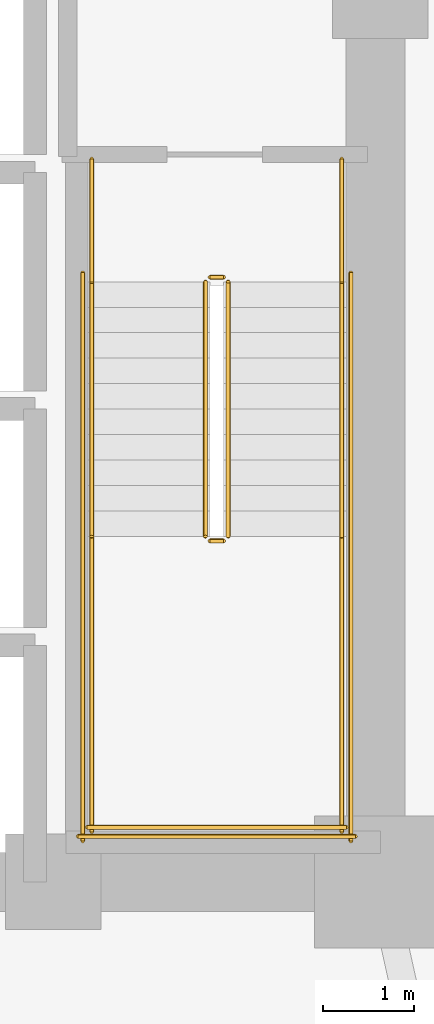
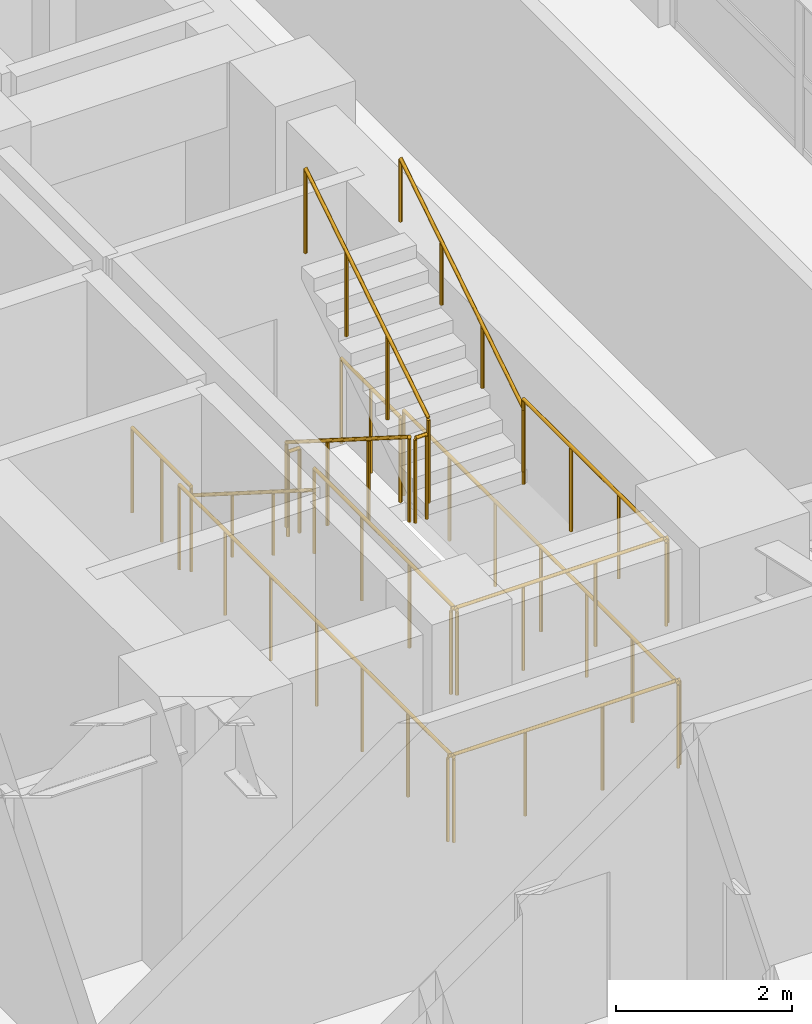
# One storey, part 28 of 28: 14 railings.
"""IFC4 building model written with IfcOpenShell, lengths in metres."""

from ifc_helpers import new_model, si_unit, direction, frame, origin, origin_2d, place, context, subcontext, project, spatial, circle, extrude, material, type_object, element, save


model = new_model("IFC4")

# Units and contexts
model_context = context("Model", 3, precision=1e-05, world=origin(), true_north=direction((0.0, 1.0)))
body_context = subcontext(model_context, "Body", "Model", "MODEL_VIEW")
ifc_project = project(units=[si_unit("LENGTHUNIT", "METRE"), si_unit("AREAUNIT", "SQUARE_METRE"), si_unit("VOLUMEUNIT", "CUBIC_METRE"), si_unit("PLANEANGLEUNIT", "RADIAN"), si_unit("MASSUNIT", "GRAM", prefix="KILO")], contexts=[model_context])

# Site, building, storey
site_placement = place(None, origin())
site = spatial("IfcSite", under=ifc_project, at=site_placement, CompositionType="ELEMENT")
building_placement = place(site_placement, origin())
building = spatial("IfcBuilding", under=site, at=building_placement, Name="Voryun Gate Residences", CompositionType="ELEMENT")
storey_placement = place(building_placement, frame((0.0, 0.0, 61.10009765625)))
storey = spatial("IfcBuildingStorey", under=building, at=storey_placement, Name="L14", CompositionType="ELEMENT", Elevation=61.10009765625)

# Railings
ifc_material_1 = material(Name="Painted steel", Category="steel")
railing_type_1 = type_object("IfcRailingType", Name="RAIL_STAIR_GUARD_1200", PredefinedType="GUARDRAIL", material=ifc_material_1)
railing_1_placement = place(storey_placement, frame((17.27490234375, -0.800048828125, 0.17724609375)))
element("IfcRailing", 1, at=railing_1_placement, inside=storey, type_object=railing_type_1, Name="L14 ST-E1 stair guard 1", PredefinedType="GUARDRAIL", context=body_context, shape_type="SweptSolid", body=[
    extrude(circle(Radius=0.02392578125, at=origin_2d()), frame((0.0, 0.0, 1.17578125), z_axis=(0.0, -0.844908973607, 0.534910110503), x_axis=(1.0, 0.0, 0.0)), (0.0, 0.0, 1.0), 3.31396484375),
    extrude(circle(Radius=0.02099609375, at=origin_2d()), origin(), (0.0, 0.0, 1.0), 1.15185546875),
    extrude(circle(Radius=0.02099609375, at=origin_2d()), frame((0.0, -0.933349609375, 0.5908203125)), (0.0, 0.0, 1.0), 1.15185546875),
    extrude(circle(Radius=0.02099609375, at=origin_2d()), frame((0.0, -1.86669921875, 1.181884765625)), (0.0, 0.0, 1.0), 1.15185546875),
    extrude(circle(Radius=0.02099609375, at=origin_2d()), frame((0.0, -2.800048828125, 1.772705078125)), (0.0, 0.0, 1.0), 1.15185546875),
])
railing_2_placement = place(storey_placement, frame((17.324951171875, -3.64990234375, 1.949951171875)))
element("IfcRailing", 2, at=railing_2_placement, inside=storey, type_object=railing_type_1, Name="L14 ST-E1 stair guard 2", PredefinedType="GUARDRAIL", context=body_context, shape_type="SweptSolid", body=[
    extrude(circle(Radius=0.02392578125, at=origin_2d()), frame((0.0, 0.0, 1.17578125), z_axis=(1.0, 0.0, 0.0), x_axis=(0.0, 1.0, 0.0)), (0.0, 0.0, 1.0), 0.150146484375),
    extrude(circle(Radius=0.02099609375, at=origin_2d()), origin(), (0.0, 0.0, 1.0), 1.15185546875),
    extrude(circle(Radius=0.02099609375, at=origin_2d()), frame((0.150146484375, 0.0, 0.0)), (0.0, 0.0, 1.0), 1.15185546875),
])
for number, where, name in (
    (3, (16.02490234375, -3.60009765625, 1.949951171875), "L14 ST-E1 stair guard 3"),
    (4, (18.77490234375, -3.60009765625, 1.949951171875), "L14 ST-E1 stair guard 4"),
):
    element("IfcRailing", number, at=place(storey_placement, frame(where)), inside=storey, type_object=railing_type_1, Name=name, PredefinedType="GUARDRAIL", context=body_context, shape_type="SweptSolid", body=[
        extrude(circle(Radius=0.02392578125, at=origin_2d()), frame((0.0, 0.0, 1.17578125), z_axis=(0.0, -1.0, 0.0), x_axis=(1.0, 0.0, 0.0)), (0.0, 0.0, 1.0), 3.25),
        extrude(circle(Radius=0.02099609375, at=origin_2d()), origin(), (0.0, 0.0, 1.0), 1.15185546875),
        extrude(circle(Radius=0.02099609375, at=origin_2d()), frame((0.0, -1.083251953125, 0.0)), (0.0, 0.0, 1.0), 1.15185546875),
        extrude(circle(Radius=0.02099609375, at=origin_2d()), frame((0.0, -2.166748046875, 0.0)), (0.0, 0.0, 1.0), 1.15185546875),
        extrude(circle(Radius=0.02099609375, at=origin_2d()), frame((0.0, -3.25, 0.0)), (0.0, 0.0, 1.0), 1.15185546875),
    ])
railing_3_placement = place(storey_placement, frame((15.97509765625, -6.800048828125, 1.949951171875)))
element("IfcRailing", 5, at=railing_3_placement, inside=storey, type_object=railing_type_1, Name="L14 ST-E1 stair guard 5", PredefinedType="GUARDRAIL", context=body_context, shape_type="SweptSolid", body=[
    extrude(circle(Radius=0.02392578125, at=origin_2d()), frame((0.0, 0.0, 1.17578125), z_axis=(1.0, 0.0, 0.0), x_axis=(0.0, 1.0, 0.0)), (0.0, 0.0, 1.0), 2.849853515625),
    extrude(circle(Radius=0.02099609375, at=origin_2d()), origin(), (0.0, 0.0, 1.0), 1.15185546875),
    extrude(circle(Radius=0.02099609375, at=origin_2d()), frame((0.949951171875, 0.0, 0.0)), (0.0, 0.0, 1.0), 1.15185546875),
    extrude(circle(Radius=0.02099609375, at=origin_2d()), frame((1.89990234375, 0.0, 0.0)), (0.0, 0.0, 1.0), 1.15185546875),
    extrude(circle(Radius=0.02099609375, at=origin_2d()), frame((2.849853515625, 0.0, 0.0)), (0.0, 0.0, 1.0), 1.15185546875),
])
railing_4_placement = place(storey_placement, frame((17.52490234375, -3.60009765625, 2.127197265625)))
element("IfcRailing", 6, at=railing_4_placement, inside=storey, type_object=railing_type_1, Name="L14 ST-E1 stair guard 6", PredefinedType="GUARDRAIL", context=body_context, shape_type="SweptSolid", body=[
    extrude(circle(Radius=0.02392578125, at=origin_2d()), frame((0.0, 0.0, 1.17578125), z_axis=(0.0, 0.844908973607, 0.534910110503), x_axis=(-1.0, 0.0, 0.0)), (0.0, 0.0, 1.0), 3.31396484375),
    extrude(circle(Radius=0.02099609375, at=origin_2d()), origin(), (0.0, 0.0, 1.0), 1.15185546875),
    extrude(circle(Radius=0.02099609375, at=origin_2d()), frame((0.0, 0.933349609375, 0.5908203125)), (0.0, 0.0, 1.0), 1.15185546875),
    extrude(circle(Radius=0.02099609375, at=origin_2d()), frame((0.0, 1.86669921875, 1.181884765625)), (0.0, 0.0, 1.0), 1.15185546875),
    extrude(circle(Radius=0.02099609375, at=origin_2d()), frame((0.0, 2.800048828125, 1.772705078125)), (0.0, 0.0, 1.0), 1.15185546875),
])
railing_5_placement = place(storey_placement, frame((17.324951171875, -0.75, 0.0)))
element("IfcRailing", 7, at=railing_5_placement, inside=storey, type_object=railing_type_1, Name="L14 ST-E1 stair guard 7", PredefinedType="GUARDRAIL", context=body_context, shape_type="SweptSolid", body=[
    extrude(circle(Radius=0.02392578125, at=origin_2d()), frame((0.0, 0.0, 1.17578125), z_axis=(1.0, 0.0, 0.0), x_axis=(0.0, 1.0, 0.0)), (0.0, 0.0, 1.0), 0.150146484375),
    extrude(circle(Radius=0.02099609375, at=origin_2d()), origin(), (0.0, 0.0, 1.0), 1.15185546875),
    extrude(circle(Radius=0.02099609375, at=origin_2d()), frame((0.150146484375, 0.0, 0.0)), (0.0, 0.0, 1.0), 1.15185546875),
])
for number, where, name in (
    (8, (16.02490234375, 0.550048828125, 0.0), "L14 ST-E1 stair guard 8"),
    (9, (18.77490234375, 0.550048828125, 0.0), "L14 ST-E1 stair guard 9"),
):
    element("IfcRailing", number, at=place(storey_placement, frame(where)), inside=storey, type_object=railing_type_1, Name=name, PredefinedType="GUARDRAIL", context=body_context, shape_type="SweptSolid", body=[
        extrude(circle(Radius=0.02392578125, at=origin_2d()), frame((0.0, 0.0, 1.17578125), z_axis=(0.0, -1.0, 0.0), x_axis=(1.0, 0.0, 0.0)), (0.0, 0.0, 1.0), 1.35009765625),
        extrude(circle(Radius=0.02099609375, at=origin_2d()), origin(), (0.0, 0.0, 1.0), 1.15185546875),
        extrude(circle(Radius=0.02099609375, at=origin_2d()), frame((0.0, -0.675048828125, 0.0)), (0.0, 0.0, 1.0), 1.15185546875),
        extrude(circle(Radius=0.02099609375, at=origin_2d()), frame((0.0, -1.35009765625, 0.0)), (0.0, 0.0, 1.0), 1.15185546875),
    ])
for number, where, name in (
    (10, (15.925048828125, -0.699951171875, 0.0), "L14 ST-E1 stair guard 10"),
    (11, (18.875, -0.699951171875, 0.0), "L14 ST-E1 stair guard 11"),
):
    element("IfcRailing", number, at=place(storey_placement, frame(where)), inside=storey, type_object=railing_type_1, Name=name, PredefinedType="GUARDRAIL", context=body_context, shape_type="SweptSolid", body=[
        extrude(circle(Radius=0.02392578125, at=origin_2d()), frame((0.0, 0.0, 1.17578125), z_axis=(0.0, -1.0, 0.0), x_axis=(1.0, 0.0, 0.0)), (0.0, 0.0, 1.0), 6.25),
        extrude(circle(Radius=0.02099609375, at=origin_2d()), origin(), (0.0, 0.0, 1.0), 1.15185546875),
        extrude(circle(Radius=0.02099609375, at=origin_2d()), frame((0.0, -1.041748046875, 0.0)), (0.0, 0.0, 1.0), 1.15185546875),
        extrude(circle(Radius=0.02099609375, at=origin_2d()), frame((0.0, -2.083251953125, 0.0)), (0.0, 0.0, 1.0), 1.15185546875),
        extrude(circle(Radius=0.02099609375, at=origin_2d()), frame((0.0, -3.125, 0.0)), (0.0, 0.0, 1.0), 1.15185546875),
        extrude(circle(Radius=0.02099609375, at=origin_2d()), frame((0.0, -4.166748046875, 0.0)), (0.0, 0.0, 1.0), 1.15185546875),
        extrude(circle(Radius=0.02099609375, at=origin_2d()), frame((0.0, -5.208251953125, 0.0)), (0.0, 0.0, 1.0), 1.15185546875),
        extrude(circle(Radius=0.02099609375, at=origin_2d()), frame((0.0, -6.25, 0.0)), (0.0, 0.0, 1.0), 1.15185546875),
    ])
railing_6_placement = place(storey_placement, frame((15.875, -6.89990234375, 0.0)))
element("IfcRailing", 12, at=railing_6_placement, inside=storey, type_object=railing_type_1, Name="L14 ST-E1 stair guard 12", PredefinedType="GUARDRAIL", context=body_context, shape_type="SweptSolid", body=[
    extrude(circle(Radius=0.02392578125, at=origin_2d()), frame((0.0, 0.0, 1.17578125), z_axis=(1.0, 0.0, 0.0), x_axis=(0.0, 1.0, 0.0)), (0.0, 0.0, 1.0), 3.050048828125),
    extrude(circle(Radius=0.02099609375, at=origin_2d()), origin(), (0.0, 0.0, 1.0), 1.15185546875),
    extrude(circle(Radius=0.02099609375, at=origin_2d()), frame((1.0166015625, 0.0, 0.0)), (0.0, 0.0, 1.0), 1.15185546875),
    extrude(circle(Radius=0.02099609375, at=origin_2d()), frame((2.033447265625, 0.0, 0.0)), (0.0, 0.0, 1.0), 1.15185546875),
    extrude(circle(Radius=0.02099609375, at=origin_2d()), frame((3.050048828125, 0.0, 0.0)), (0.0, 0.0, 1.0), 1.15185546875),
])
ifc_material_2 = material(Name="Painted steel", Category="steel")
railing_type_2 = type_object("IfcRailingType", Name="RAIL_STAIR_HANDRAIL_900", PredefinedType="HANDRAIL", material=ifc_material_2)
railing_7_placement = place(storey_placement, frame((16.02490234375, -0.800048828125, 0.17724609375)))
element("IfcRailing", 13, at=railing_7_placement, inside=storey, type_object=railing_type_2, Name="L14 ST-E1 stair handrail 1", PredefinedType="HANDRAIL", context=body_context, shape_type="SweptSolid", body=[
    extrude(circle(Radius=0.02392578125, at=origin_2d()), frame((0.0, 0.0, 0.8759765625), z_axis=(0.0, -0.844908973607, 0.534910110503), x_axis=(1.0, 0.0, 0.0)), (0.0, 0.0, 1.0), 3.31396484375),
    extrude(circle(Radius=0.02099609375, at=origin_2d()), origin(), (0.0, 0.0, 1.0), 0.851806640625),
    extrude(circle(Radius=0.02099609375, at=origin_2d()), frame((0.0, -0.933349609375, 0.5908203125)), (0.0, 0.0, 1.0), 0.851806640625),
    extrude(circle(Radius=0.02099609375, at=origin_2d()), frame((0.0, -1.86669921875, 1.181884765625)), (0.0, 0.0, 1.0), 0.851806640625),
    extrude(circle(Radius=0.02099609375, at=origin_2d()), frame((0.0, -2.800048828125, 1.772705078125)), (0.0, 0.0, 1.0), 0.851806640625),
])
railing_8_placement = place(storey_placement, frame((18.77490234375, -3.60009765625, 2.127197265625)))
element("IfcRailing", 14, at=railing_8_placement, inside=storey, type_object=railing_type_2, Name="L14 ST-E1 stair handrail 2", PredefinedType="HANDRAIL", context=body_context, shape_type="SweptSolid", body=[
    extrude(circle(Radius=0.02392578125, at=origin_2d()), frame((0.0, 0.0, 0.8759765625), z_axis=(0.0, 0.844908973607, 0.534910110503), x_axis=(-1.0, 0.0, 0.0)), (0.0, 0.0, 1.0), 3.31396484375),
    extrude(circle(Radius=0.02099609375, at=origin_2d()), origin(), (0.0, 0.0, 1.0), 0.851806640625),
    extrude(circle(Radius=0.02099609375, at=origin_2d()), frame((0.0, 0.933349609375, 0.5908203125)), (0.0, 0.0, 1.0), 0.851806640625),
    extrude(circle(Radius=0.02099609375, at=origin_2d()), frame((0.0, 1.86669921875, 1.181884765625)), (0.0, 0.0, 1.0), 0.851806640625),
    extrude(circle(Radius=0.02099609375, at=origin_2d()), frame((0.0, 2.800048828125, 1.772705078125)), (0.0, 0.0, 1.0), 0.851806640625),
])

save(model, "model.ifc")
